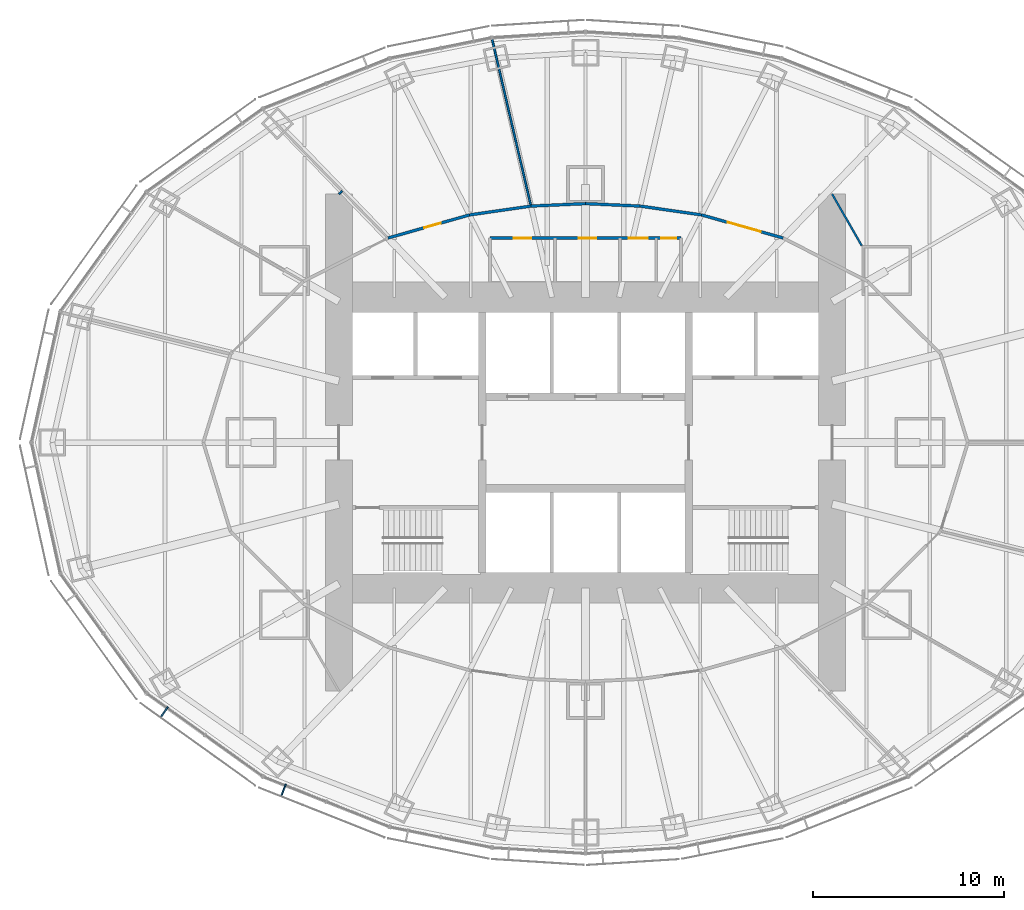
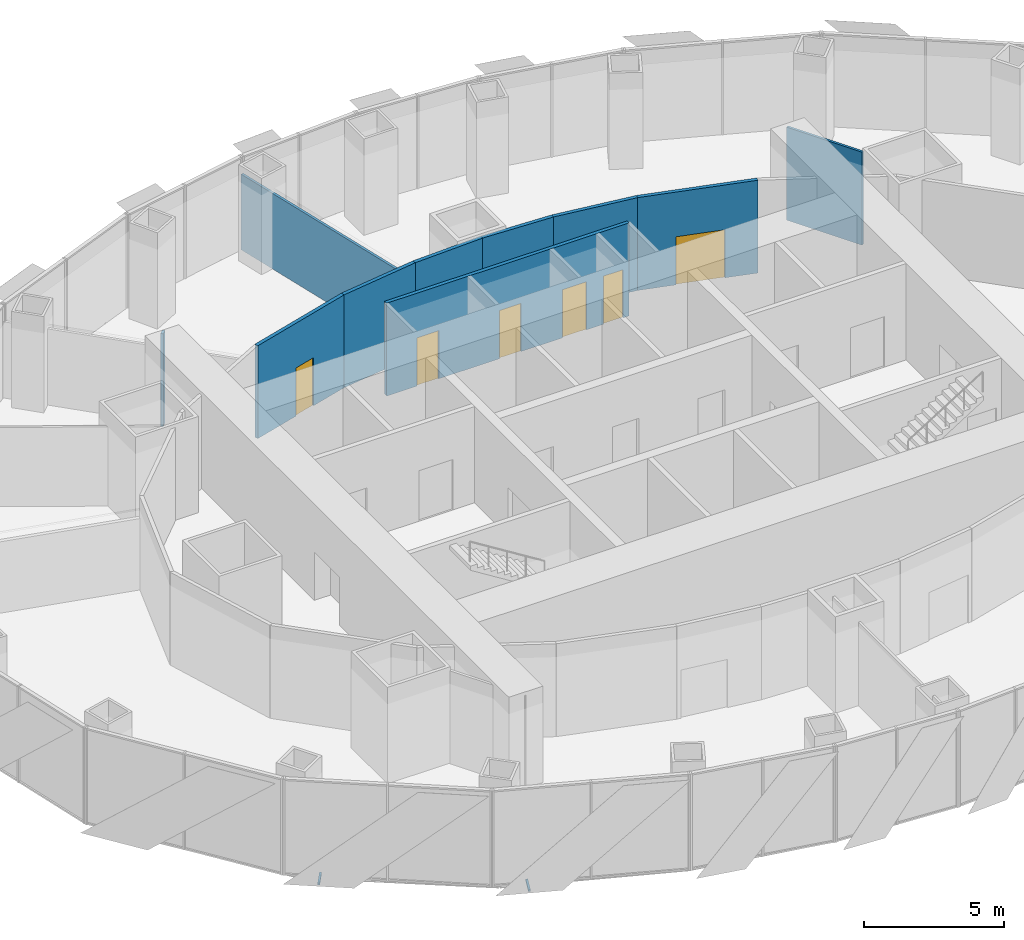
# One storey, part 13 of 18: 10 walls, 6 doors, 2 discrete accessories, 6 openings.
"""IFC4 building model written with IfcOpenShell, lengths in metres."""

from ifc_helpers import new_model, si_unit, direction, frame, frame_2d, origin, origin_2d, place, context, subcontext, project, spatial, rectangle, extrude, material, layer, layer_set, type_object, element, fill, save


model = new_model("IFC4")

# Units and contexts
model_context = context("Model", 3, precision=1e-05, world=origin(), true_north=direction((0.0, 1.0)))
body_context = subcontext(model_context, "Body", "Model", "MODEL_VIEW")
ifc_project = project(units=[si_unit("LENGTHUNIT", "METRE"), si_unit("AREAUNIT", "SQUARE_METRE"), si_unit("VOLUMEUNIT", "CUBIC_METRE"), si_unit("PLANEANGLEUNIT", "RADIAN"), si_unit("MASSUNIT", "GRAM", prefix="KILO")], contexts=[model_context])

# Site, building, storey
site_placement = place(None, origin())
site = spatial("IfcSite", under=ifc_project, at=site_placement, CompositionType="ELEMENT")
building_placement = place(site_placement, origin())
building = spatial("IfcBuilding", under=site, at=building_placement, Name="Lantaw Convention Tower", CompositionType="ELEMENT")
storey_placement = place(building_placement, frame((0.0, 0.0, 134.199951171875)))
storey = spatial("IfcBuildingStorey", under=building, at=storey_placement, Name="L31", CompositionType="ELEMENT", Elevation=134.199951171875)

# Wall, opening, door
ifc_material_1 = material(Name="Gypsum board on steel studs, fire rated", Category="steel")
ifc_layer_1 = layer(ifc_material_1, 0.14990234375)
ifc_layer_set_1 = layer_set([ifc_layer_1], Name="Corridor wall 150 EI 60")
wall_type_1 = type_object("IfcWallType", Name="Corridor wall 150 EI 60", PredefinedType="PARTITIONING", material=ifc_layer_set_1)
wall_1_placement = place(storey_placement, frame((10.334716796875, 10.701904296875, 0.0), z_axis=(0.0, 0.0, 1.0), x_axis=(-0.962122152905, 0.272618713388, 0.0)))
wall_1 = element("IfcWall", 1, at=wall_1_placement, inside=storey, type_object=wall_type_1, Name="Corridor wall 150", PredefinedType="PARTITIONING", context=body_context, shape_type="SweptSolid", body=[
    extrude(rectangle(XDim=4.433837890625, YDim=0.14990234375, at=frame_2d((2.216796875, 0.0))), origin(), (0.0, 0.0, 1.0), 4.050048828125),
])
opening_1_placement = place(wall_1_placement, frame((1.210693359375, 0.0, 0.0)))
opening_1 = element("IfcOpeningElement", 2, at=opening_1_placement, cuts=wall_1, Name="Opening L31.18", PredefinedType="OPENING", context=body_context, shape_type="SweptSolid", body=[
    extrude(rectangle(XDim=1.800048828125, YDim=2.10009765625, at=frame_2d((0.89990234375, 1.050048828125))), frame((0.0, 0.0849609375, 0.0), z_axis=(0.0, -1.0, 0.0), x_axis=(1.0, 0.0, 0.0)), (0.0, 0.0, 1.0), 0.169921875),
])
ifc_material_2 = material(Name="Steel, fire rated", Category="steel")
door_type_1 = type_object("IfcDoorType", Name="Office double door 1800 FD30", OperationType="DOUBLE_DOOR_DOUBLE_SWING", PredefinedType="DOOR", material=ifc_material_2)
door_1_placement = place(opening_1_placement, origin())
door_1 = element("IfcDoor", 3, at=door_1_placement, inside=storey, type_object=door_type_1, Name="Contact-centre floor door", OperationType="DOUBLE_DOOR_DOUBLE_SWING", OverallHeight=2.10009765625, OverallWidth=1.800048828125, PredefinedType="DOOR", context=body_context, shape_type="SweptSolid", body=[
    extrude(rectangle(XDim=1.800048828125, YDim=2.10009765625, at=frame_2d((0.89990234375, 1.050048828125))), frame((0.0, 0.02490234375, 0.0), z_axis=(0.0, -1.0, 0.0), x_axis=(1.0, 0.0, 0.0)), (0.0, 0.0, 1.0), 0.050048828125),
])
fill(opening_1, door_1)

# Walls
wall_2_placement = place(storey_placement, frame((6.06884765625, 11.91064453125, 0.0), z_axis=(0.0, 0.0, 1.0), x_axis=(-0.989852979412, 0.14209531713, 0.0)))
element("IfcWall", 4, at=wall_2_placement, inside=storey, type_object=wall_type_1, Name="Corridor wall 150", PredefinedType="PARTITIONING", context=body_context, shape_type="SweptSolid", body=[
    extrude(rectangle(XDim=3.24560546875, YDim=0.14990234375, at=frame_2d((1.622802734375, 0.0))), origin(), (0.0, 0.0, 1.0), 4.050048828125),
])
for number, where, z_axis, x_axis, name in (
    (5, (2.856201171875, 12.371826171875, 0.0), (0.0, 0.0, 1.0), (-0.998994607156, 0.044830512758, 0.0), "Corridor wall 150"),
    (6, (0.0, 12.5, 0.0), (0.0, 0.0, 1.0), (-0.998994607156, -0.044830512758, 0.0), "Corridor wall 150"),
):
    element("IfcWall", number, at=place(storey_placement, frame(where, z_axis=z_axis, x_axis=x_axis)), inside=storey, type_object=wall_type_1, Name=name, PredefinedType="PARTITIONING", context=body_context, shape_type="SweptSolid", body=[
        extrude(rectangle(XDim=2.859130859375, YDim=0.14990234375, at=frame_2d((1.4296875, 0.0))), origin(), (0.0, 0.0, 1.0), 4.050048828125),
    ])
wall_3_placement = place(storey_placement, frame((-2.856201171875, 12.371826171875, 0.0), z_axis=(0.0, 0.0, 1.0), x_axis=(-0.989852979412, -0.14209531713, 0.0)))
element("IfcWall", 7, at=wall_3_placement, inside=storey, type_object=wall_type_1, Name="Corridor wall 150", PredefinedType="PARTITIONING", context=body_context, shape_type="SweptSolid", body=[
    extrude(rectangle(XDim=3.24560546875, YDim=0.14990234375, at=frame_2d((1.622802734375, 0.0))), origin(), (0.0, 0.0, 1.0), 4.050048828125),
])

# Wall, opening, door
wall_4_placement = place(storey_placement, frame((-6.06884765625, 11.91064453125, 0.0), z_axis=(0.0, 0.0, 1.0), x_axis=(-0.962122152905, -0.272618713388, 0.0)))
wall_4 = element("IfcWall", 8, at=wall_4_placement, inside=storey, type_object=wall_type_1, Name="Corridor wall 150", PredefinedType="PARTITIONING", context=body_context, shape_type="SweptSolid", body=[
    extrude(rectangle(XDim=4.433837890625, YDim=0.14990234375, at=frame_2d((2.216796875, 0.0))), origin(), (0.0, 0.0, 1.0), 4.050048828125),
])
opening_2_placement = place(wall_4_placement, frame((1.564697265625, 0.0, 0.0)))
opening_2 = element("IfcOpeningElement", 9, at=opening_2_placement, cuts=wall_4, Name="Opening L31.19", PredefinedType="OPENING", context=body_context, shape_type="SweptSolid", body=[
    extrude(rectangle(XDim=0.89990234375, YDim=2.10009765625, at=frame_2d((0.449951171875, 1.050048828125))), frame((0.0, 0.0849609375, 0.0), z_axis=(0.0, -1.0, 0.0), x_axis=(1.0, 0.0, 0.0)), (0.0, 0.0, 1.0), 0.169921875),
])
door_type_2 = type_object("IfcDoorType", Name="Office door 900 FD30", OperationType="SINGLE_SWING_LEFT", PredefinedType="DOOR", material=ifc_material_2)
door_2_placement = place(opening_2_placement, origin())
door_2 = element("IfcDoor", 10, at=door_2_placement, inside=storey, type_object=door_type_2, Name="Training room door", OperationType="SINGLE_SWING_LEFT", OverallHeight=2.10009765625, OverallWidth=0.89990234375, PredefinedType="DOOR", context=body_context, shape_type="SweptSolid", body=[
    extrude(rectangle(XDim=0.89990234375, YDim=2.10009765625, at=frame_2d((0.449951171875, 1.050048828125))), frame((0.0, 0.02490234375, 0.0), z_axis=(0.0, -1.0, 0.0), x_axis=(1.0, 0.0, 0.0)), (0.0, 0.0, 1.0), 0.050048828125),
])
fill(opening_2, door_2)

# Walls
ifc_material_3 = material(Name="Gypsum board on steel studs, acoustic", Category="steel")
ifc_layer_2 = layer(ifc_material_3, 0.10009765625)
ifc_layer_set_2 = layer_set([ifc_layer_2], Name="Office partition 100")
wall_type_2 = type_object("IfcWallType", Name="Office partition 100", PredefinedType="PARTITIONING", material=ifc_layer_set_2)
wall_5_placement = place(storey_placement, frame((-4.89697265625, 21.134765625, 0.0), z_axis=(0.0, 0.0, 1.0), x_axis=(0.226817002645, -0.973937393938, 0.0)))
element("IfcWall", 11, at=wall_5_placement, inside=storey, type_object=wall_type_2, Name="Office partition 100", PredefinedType="PARTITIONING", context=body_context, shape_type="SweptSolid", body=[
    extrude(rectangle(XDim=8.997314453125, YDim=0.10009765625, at=frame_2d((4.49853515625, 0.0))), origin(), (0.0, 0.0, 1.0), 3.293212890625),
])
wall_6_placement = place(storey_placement, frame((12.89990234375, 13.0, 0.0), z_axis=(0.0, 0.0, 1.0), x_axis=(0.497886086714, -0.867242437071, 0.0)))
element("IfcWall", 12, at=wall_6_placement, inside=storey, type_object=wall_type_2, Name="Office partition 100", PredefinedType="PARTITIONING", context=body_context, shape_type="SweptSolid", body=[
    extrude(rectangle(XDim=3.11328125, YDim=0.10009765625, at=frame_2d((1.556640625, 0.0))), origin(), (0.0, 0.0, 1.0), 4.050048828125),
])
wall_7_placement = place(storey_placement, frame((-12.89990234375, 13.0, 0.0), z_axis=(0.0, 0.0, 1.0), x_axis=(0.716013316663, 0.698086620959, 0.0)))
element("IfcWall", 13, at=wall_7_placement, inside=storey, type_object=wall_type_2, Name="Office partition 100", PredefinedType="PARTITIONING", context=body_context, shape_type="SweptSolid", body=[
    extrude(rectangle(XDim=0.2314453125, YDim=0.10009765625, at=frame_2d((0.11572265625, 0.0))), origin(), (0.0, 0.0, 1.0), 4.050048828125),
])

# Wall, openings, doors
ifc_material_4 = material(Name="Concrete blockwork", Category="masonry")
ifc_layer_3 = layer(ifc_material_4, 0.14990234375)
ifc_layer_set_3 = layer_set([ifc_layer_3], Name="WC wall 150")
wall_type_3 = type_object("IfcWallType", Name="WC wall 150", PredefinedType="SOLIDWALL", material=ifc_layer_set_3)
wall_8_placement = place(storey_placement, frame((-5.0, 10.699951171875, 0.0), z_axis=(0.0, 0.0, 1.0), x_axis=(1.0, 0.0, 0.0)))
wall_8 = element("IfcWall", 14, at=wall_8_placement, inside=storey, type_object=wall_type_3, Name="WC wall 150", PredefinedType="SOLIDWALL", context=body_context, shape_type="SweptSolid", body=[
    extrude(rectangle(XDim=10.0, YDim=0.14990234375, at=frame_2d((5.0, 0.0))), origin(), (0.0, 0.0, 1.0), 4.050048828125),
])
opening_3_placement = place(wall_8_placement, frame((1.25, 0.0, 0.0)))
opening_3 = element("IfcOpeningElement", 15, at=opening_3_placement, cuts=wall_8, Name="Opening L31.14", PredefinedType="OPENING", context=body_context, shape_type="SweptSolid", body=[
    extrude(rectangle(XDim=0.89990234375, YDim=2.10009765625, at=frame_2d((0.449951171875, 1.050048828125))), frame((0.0, 0.0849609375, 0.0), z_axis=(0.0, -1.0, 0.0), x_axis=(1.0, 0.0, 0.0)), (0.0, 0.0, 1.0), 0.169921875),
])
opening_4_placement = place(wall_8_placement, frame((4.64990234375, 0.0, 0.0)))
opening_4 = element("IfcOpeningElement", 16, at=opening_4_placement, cuts=wall_8, Name="Opening L31.15", PredefinedType="OPENING", context=body_context, shape_type="SweptSolid", body=[
    extrude(rectangle(XDim=0.89990234375, YDim=2.10009765625, at=frame_2d((0.449951171875, 1.050048828125))), frame((0.0, 0.0849609375, 0.0), z_axis=(0.0, -1.0, 0.0), x_axis=(1.0, 0.0, 0.0)), (0.0, 0.0, 1.0), 0.169921875),
])
opening_5_placement = place(wall_8_placement, frame((7.25, 0.0, 0.0)))
opening_5 = element("IfcOpeningElement", 17, at=opening_5_placement, cuts=wall_8, Name="Opening L31.16", PredefinedType="OPENING", context=body_context, shape_type="SweptSolid", body=[
    extrude(rectangle(XDim=1.0, YDim=2.10009765625, at=frame_2d((0.5, 1.050048828125))), frame((0.0, 0.0849609375, 0.0), z_axis=(0.0, -1.0, 0.0), x_axis=(1.0, 0.0, 0.0)), (0.0, 0.0, 1.0), 0.169921875),
])
opening_6_placement = place(wall_8_placement, frame((8.949951171875, 0.0, 0.0)))
opening_6 = element("IfcOpeningElement", 18, at=opening_6_placement, cuts=wall_8, Name="Opening L31.17", PredefinedType="OPENING", context=body_context, shape_type="SweptSolid", body=[
    extrude(rectangle(XDim=0.800048828125, YDim=2.10009765625, at=frame_2d((0.39990234375, 1.050048828125))), frame((0.0, 0.0849609375, 0.0), z_axis=(0.0, -1.0, 0.0), x_axis=(1.0, 0.0, 0.0)), (0.0, 0.0, 1.0), 0.169921875),
])
ifc_material_5 = material(Name="Timber", Category="wood")
door_type_3 = type_object("IfcDoorType", Name="Accessible WC door 1000", OperationType="SINGLE_SWING_LEFT", PredefinedType="DOOR", material=ifc_material_5)
door_3_placement = place(opening_5_placement, origin())
door_3 = element("IfcDoor", 19, at=door_3_placement, inside=storey, type_object=door_type_3, Name="Accessible WC door", OperationType="SINGLE_SWING_LEFT", OverallHeight=2.10009765625, OverallWidth=1.0, PredefinedType="DOOR", context=body_context, shape_type="SweptSolid", body=[
    extrude(rectangle(XDim=1.0, YDim=2.10009765625, at=frame_2d((0.5, 1.050048828125))), frame((0.0, 0.02490234375, 0.0), z_axis=(0.0, -1.0, 0.0), x_axis=(1.0, 0.0, 0.0)), (0.0, 0.0, 1.0), 0.050048828125),
])
fill(opening_5, door_3)
door_type_4 = type_object("IfcDoorType", Name="WC door 800", OperationType="SINGLE_SWING_LEFT", PredefinedType="DOOR", material=ifc_material_5)
door_4_placement = place(opening_6_placement, origin())
door_4 = element("IfcDoor", 20, at=door_4_placement, inside=storey, type_object=door_type_4, Name="Cleaner's store door", OperationType="SINGLE_SWING_LEFT", OverallHeight=2.10009765625, OverallWidth=0.800048828125, PredefinedType="DOOR", context=body_context, shape_type="SweptSolid", body=[
    extrude(rectangle(XDim=0.800048828125, YDim=2.10009765625, at=frame_2d((0.39990234375, 1.050048828125))), frame((0.0, 0.02490234375, 0.0), z_axis=(0.0, -1.0, 0.0), x_axis=(1.0, 0.0, 0.0)), (0.0, 0.0, 1.0), 0.050048828125),
])
fill(opening_6, door_4)
door_type_5 = type_object("IfcDoorType", Name="WC door 900", OperationType="SINGLE_SWING_LEFT", PredefinedType="DOOR", material=ifc_material_5)
door_5_placement = place(opening_3_placement, origin())
door_5 = element("IfcDoor", 21, at=door_5_placement, inside=storey, type_object=door_type_5, Name="Female WC door", OperationType="SINGLE_SWING_LEFT", OverallHeight=2.10009765625, OverallWidth=0.89990234375, PredefinedType="DOOR", context=body_context, shape_type="SweptSolid", body=[
    extrude(rectangle(XDim=0.89990234375, YDim=2.10009765625, at=frame_2d((0.449951171875, 1.050048828125))), frame((0.0, 0.02490234375, 0.0), z_axis=(0.0, -1.0, 0.0), x_axis=(1.0, 0.0, 0.0)), (0.0, 0.0, 1.0), 0.050048828125),
])
fill(opening_3, door_5)
door_6_placement = place(opening_4_placement, origin())
door_6 = element("IfcDoor", 22, at=door_6_placement, inside=storey, type_object=door_type_5, Name="Male WC door", OperationType="SINGLE_SWING_LEFT", OverallHeight=2.10009765625, OverallWidth=0.89990234375, PredefinedType="DOOR", context=body_context, shape_type="SweptSolid", body=[
    extrude(rectangle(XDim=0.89990234375, YDim=2.10009765625, at=frame_2d((0.449951171875, 1.050048828125))), frame((0.0, 0.02490234375, 0.0), z_axis=(0.0, -1.0, 0.0), x_axis=(1.0, 0.0, 0.0)), (0.0, 0.0, 1.0), 0.050048828125),
])
fill(opening_4, door_6)

# Discrete accessories
for number, where, z_axis, x_axis, name in (
    (23, (-22.044189453125, -14.10546875, -0.114990234375), (0.0, 0.0, 1.0), (0.813208325995, -0.581972695693, 0.0), "Screen bracket"),
    (24, (-15.802978515625, -18.18798828125, -0.114990234375), (0.0, 0.0, 1.0), (0.929547687544, -0.368701907483, 0.0), "Screen bracket"),
):
    element("IfcDiscreteAccessory", number, at=place(storey_placement, frame(where, z_axis=z_axis, x_axis=x_axis)), inside=storey, Name=name, PredefinedType="BRACKET", context=body_context, shape_type="SweptSolid", body=[
        extrude(rectangle(XDim=0.080078125, YDim=0.68798828125, at=origin_2d()), origin(), (0.0, 0.0, 1.0), 0.080078125),
    ])

save(model, "model.ifc")
